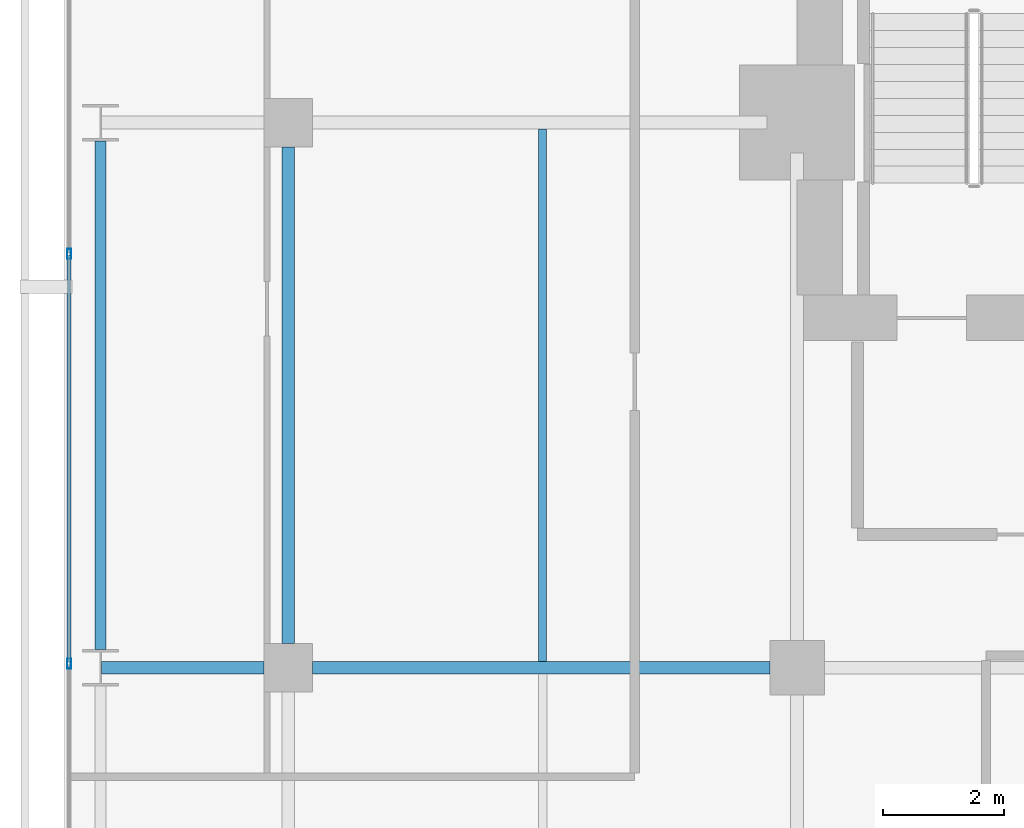
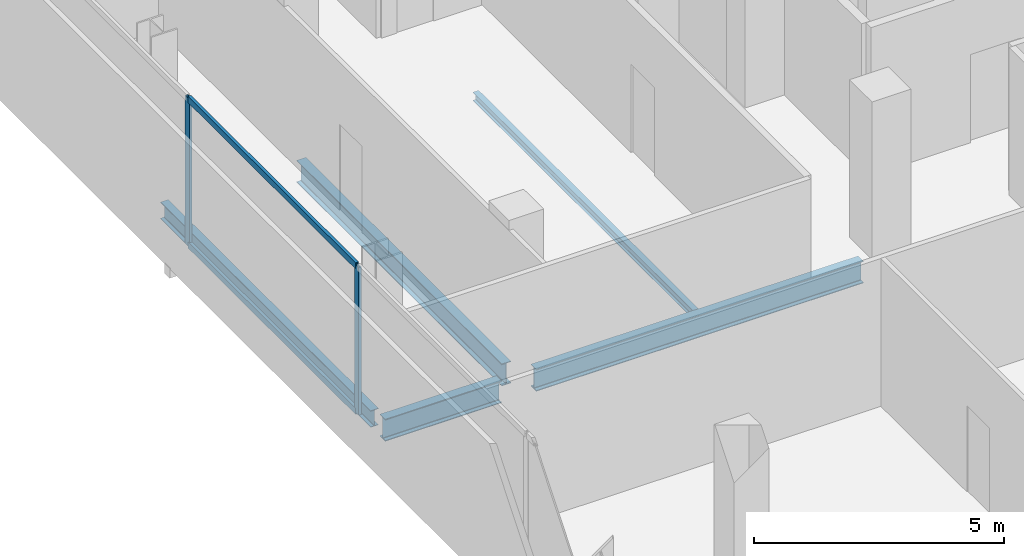
# One storey, part 18 of 32: 5 beams, 4 members, 1 element without a shape of its own.
"""IFC4 building model written with IfcOpenShell, lengths in metres."""

from ifc_helpers import new_model, si_unit, direction, frame, origin, origin_2d, place, context, subcontext, project, spatial, hollow_rectangle, i_section, extrude, material, layer, layer_set, material_profile, profile_set, type_object, element, aggregate, save


model = new_model("IFC4")

# Units and contexts
model_context = context("Model", 3, precision=1e-05, world=origin(), true_north=direction((0.0, 1.0)))
body_context = subcontext(model_context, "Body", "Model", "MODEL_VIEW")
ifc_project = project(units=[si_unit("LENGTHUNIT", "METRE"), si_unit("AREAUNIT", "SQUARE_METRE"), si_unit("VOLUMEUNIT", "CUBIC_METRE"), si_unit("PLANEANGLEUNIT", "RADIAN"), si_unit("MASSUNIT", "GRAM", prefix="KILO")], contexts=[model_context])

# Site, building, storey
site_placement = place(None, origin())
site = spatial("IfcSite", under=ifc_project, at=site_placement, CompositionType="ELEMENT")
building_placement = place(site_placement, origin())
building = spatial("IfcBuilding", under=site, at=building_placement, Name="Maruvema Waterfront Hotel and Observation Tower", CompositionType="ELEMENT")
storey_placement = place(building_placement, frame((0.0, 0.0, 219.800048828125)))
storey = spatial("IfcBuildingStorey", under=building, at=storey_placement, Name="L54", CompositionType="ELEMENT", Elevation=219.800048828125)

# Curtain wall, members
ifc_material_1 = material(Name="Anodised bronze aluminium and solar-control low-E IGU", Category="aluminium")
ifc_layer = layer(ifc_material_1, 0.159912109375, Name="Zone 2 Amber Inner Thermal Curtain Wall System CW-03")
ifc_layer_set = layer_set([ifc_layer], Name="Anodised bronze aluminium and solar-control low-E IGU")
curtain_wall_type = type_object("IfcCurtainWallType", Name="Zone 2 Amber Inner Thermal Curtain Wall System CW-03", PredefinedType="USERDEFINED", material=ifc_layer_set)
curtain_wall_placement = place(storey_placement, origin())
curtain_wall = element("IfcCurtainWall", 1, at=curtain_wall_placement, inside=storey, type_object=curtain_wall_type, Name="L54 Curtain Wall CW-L54-W", ObjectType="UNITISED CURTAIN WALL", PredefinedType="USERDEFINED")
ifc_material_2 = material(Name="Anodised architectural bronze aluminium", Category="aluminium")
ifc_material_profile_1 = material_profile(ifc_material_2, hollow_rectangle(XDim=0.070068359375, YDim=0.14990234375, WallThickness=0.00390625, at=origin_2d()), Name="ALU-T70x150")
ifc_profile_set_1 = profile_set([ifc_material_profile_1], Name="Anodised architectural bronze aluminium")
member_type_1 = type_object("IfcMemberType", Name="Curtain Wall Horizontal Transom ALU-T70x150", PredefinedType="USERDEFINED", material=ifc_profile_set_1)
member_1_placement = place(storey_placement, frame((13.179931640625, 42.80322265625, 0.030029296875), z_axis=(0.0, -1.0, 0.0), x_axis=(1.0, 0.0, 0.0)))
member_1 = element("IfcMember", 2, at=member_1_placement, type_object=member_type_1, Name="CW-03 transom 2.1", ObjectType="TRANSOM", PredefinedType="USERDEFINED", context=body_context, shape_type="SweptSolid", body=[
    extrude(hollow_rectangle(XDim=0.070068359375, YDim=0.14990234375, WallThickness=0.00390625, at=origin_2d()), origin(), (0.0, 0.0, 1.0), 6.70654296875),
])
member_2_placement = place(storey_placement, frame((13.179931640625, 42.80322265625, 3.579833984375), z_axis=(0.0, -1.0, 0.0), x_axis=(1.0, 0.0, 0.0)))
member_2 = element("IfcMember", 3, at=member_2_placement, type_object=member_type_1, Name="CW-03 transom 2.2", ObjectType="TRANSOM", PredefinedType="USERDEFINED", context=body_context, shape_type="SweptSolid", body=[
    extrude(hollow_rectangle(XDim=0.070068359375, YDim=0.14990234375, WallThickness=0.00390625, at=origin_2d()), origin(), (0.0, 0.0, 1.0), 6.70654296875),
])
ifc_material_3 = material(Name="Anodised architectural bronze aluminium", Category="aluminium")
ifc_material_profile_2 = material_profile(ifc_material_3, hollow_rectangle(XDim=0.06494140625, YDim=0.1650390625, WallThickness=0.00390625, at=origin_2d()), Name="ALU-M65x165")
ifc_profile_set_2 = profile_set([ifc_material_profile_2], Name="Anodised architectural bronze aluminium")
member_type_2 = type_object("IfcMemberType", Name="Curtain Wall Primary Mullion ALU-M65x165", PredefinedType="MULLION", material=ifc_profile_set_2)
member_3_placement = place(storey_placement, frame((13.179931640625, 42.833251953125, 0.0), z_axis=(0.0, 0.0, 1.0), x_axis=(1.0, 0.0, 0.0)))
member_3 = element("IfcMember", 4, at=member_3_placement, type_object=member_type_2, Name="CW-03 mullion 2", PredefinedType="MULLION", context=body_context, shape_type="SweptSolid", body=[
    extrude(hollow_rectangle(XDim=0.06494140625, YDim=0.1650390625, WallThickness=0.00390625, at=origin_2d()), origin(), (0.0, 0.0, 1.0), 3.60986328125),
])
member_4_placement = place(storey_placement, frame((13.179931640625, 36.066650390625, 0.0), z_axis=(0.0, 0.0, 1.0), x_axis=(1.0, 0.0, 0.0)))
member_4 = element("IfcMember", 5, at=member_4_placement, type_object=member_type_2, Name="CW-03 mullion 3", PredefinedType="MULLION", context=body_context, shape_type="SweptSolid", body=[
    extrude(hollow_rectangle(XDim=0.06494140625, YDim=0.1650390625, WallThickness=0.00390625, at=origin_2d()), origin(), (0.0, 0.0, 1.0), 3.60986328125),
])
aggregate(curtain_wall, [member_3, member_4, member_1, member_2])

# Beams
ifc_material_4 = material(Name="Steel ASTM A572 Grade 50", Category="steel")
ifc_material_profile_3 = material_profile(ifc_material_4, i_section(OverallWidth=0.178955078125, OverallDepth=0.409912109375, WebThickness=0.0087890625, FlangeThickness=0.014404296875, FilletRadius=0.014892578125, at=origin_2d()), Name="W410x67.0")
ifc_profile_set_3 = profile_set([ifc_material_profile_3], Name="Steel ASTM A572 Grade 50")
beam_type_1 = type_object("IfcBeamType", Name="Perimeter Spandrel Beam W410x67.0", PredefinedType="SPANDREL", material=ifc_profile_set_3)
beam_1_placement = place(storey_placement, frame((13.699951171875, 36.300048828125, -0.445068359375), z_axis=(0.0, 1.0, 0.0), x_axis=(-1.0, 0.0, 0.0)))
element("IfcBeam", 6, at=beam_1_placement, inside=storey, type_object=beam_type_1, Name="L54 Floor Girder NS-04", PredefinedType="SPANDREL", context=body_context, shape_type="SweptSolid", body=[
    extrude(i_section(OverallWidth=0.178955078125, OverallDepth=0.409912109375, WebThickness=0.0087890625, FlangeThickness=0.014404296875, FilletRadius=0.014892578125, at=origin_2d()), origin(), (0.0, 0.0, 1.0), 8.39990234375),
])
ifc_material_5 = material(Name="Steel ASTM A572 Grade 50", Category="steel")
ifc_material_profile_4 = material_profile(ifc_material_5, i_section(OverallWidth=0.2109375, OverallDepth=0.5390625, WebThickness=0.01171875, FlangeThickness=0.018798828125, FilletRadius=0.014892578125, at=origin_2d()), Name="W530x109.0")
ifc_profile_set_4 = profile_set([ifc_material_profile_4], Name="Steel ASTM A572 Grade 50")
beam_type_2 = type_object("IfcBeamType", Name="Primary Floor Girder W530x109.0", PredefinedType="BEAM", material=ifc_profile_set_4)
beam_2_placement = place(storey_placement, frame((13.71240234375, 36.0, -0.509521484375), z_axis=(1.0, 0.0, 0.0), x_axis=(0.0, 1.0, 0.0)))
element("IfcBeam", 7, at=beam_2_placement, inside=storey, type_object=beam_type_2, Name="L54 Floor Girder EW-23", PredefinedType="BEAM", context=body_context, shape_type="SweptSolid", body=[
    extrude(i_section(OverallWidth=0.2109375, OverallDepth=0.5390625, WebThickness=0.01171875, FlangeThickness=0.018798828125, FilletRadius=0.014892578125, at=origin_2d()), origin(), (0.0, 0.0, 1.0), 2.6875),
])
beam_3_placement = place(storey_placement, frame((17.199951171875, 36.0, -0.509521484375), z_axis=(1.0, 0.0, 0.0), x_axis=(0.0, 1.0, 0.0)))
element("IfcBeam", 8, at=beam_3_placement, inside=storey, type_object=beam_type_2, Name="L54 Floor Girder EW-24", PredefinedType="BEAM", context=body_context, shape_type="SweptSolid", body=[
    extrude(i_section(OverallWidth=0.2109375, OverallDepth=0.5390625, WebThickness=0.01171875, FlangeThickness=0.018798828125, FilletRadius=0.014892578125, at=origin_2d()), origin(), (0.0, 0.0, 1.0), 7.550048828125),
])
beam_4_placement = place(storey_placement, frame((16.800048828125, 36.39990234375, -0.509521484375), z_axis=(0.0, 1.0, 0.0), x_axis=(-1.0, 0.0, 0.0)))
element("IfcBeam", 9, at=beam_4_placement, inside=storey, type_object=beam_type_2, Name="L54 Floor Girder NS-08", PredefinedType="BEAM", context=body_context, shape_type="SweptSolid", body=[
    extrude(i_section(OverallWidth=0.2109375, OverallDepth=0.5390625, WebThickness=0.01171875, FlangeThickness=0.018798828125, FilletRadius=0.014892578125, at=origin_2d()), origin(), (0.0, 0.0, 1.0), 8.2001953125),
])
ifc_material_6 = material(Name="Steel ASTM A572 Grade 50", Category="steel")
ifc_material_profile_5 = material_profile(ifc_material_6, i_section(OverallWidth=0.133056640625, OverallDepth=0.20703125, WebThickness=0.005859375, FlangeThickness=0.00830078125, FilletRadius=0.010009765625, at=origin_2d()), Name="W200x26.6")
ifc_profile_set_5 = profile_set([ifc_material_profile_5], Name="Steel ASTM A572 Grade 50")
beam_type_3 = type_object("IfcBeamType", Name="Secondary Floor Joist W200x26.6", PredefinedType="JOIST", material=ifc_profile_set_5)
beam_5_placement = place(storey_placement, frame((21.0, 36.10546875, -0.343505859375), z_axis=(0.0, 1.0, 0.0), x_axis=(-1.0, 0.0, 0.0)))
element("IfcBeam", 10, at=beam_5_placement, inside=storey, type_object=beam_type_3, Name="L54 Secondary Floor Joist JS-04", PredefinedType="JOIST", context=body_context, shape_type="SweptSolid", body=[
    extrude(i_section(OverallWidth=0.133056640625, OverallDepth=0.20703125, WebThickness=0.005859375, FlangeThickness=0.00830078125, FilletRadius=0.010009765625, at=origin_2d()), origin(), (0.0, 0.0, 1.0), 8.7890625),
])

save(model, "model.ifc")
